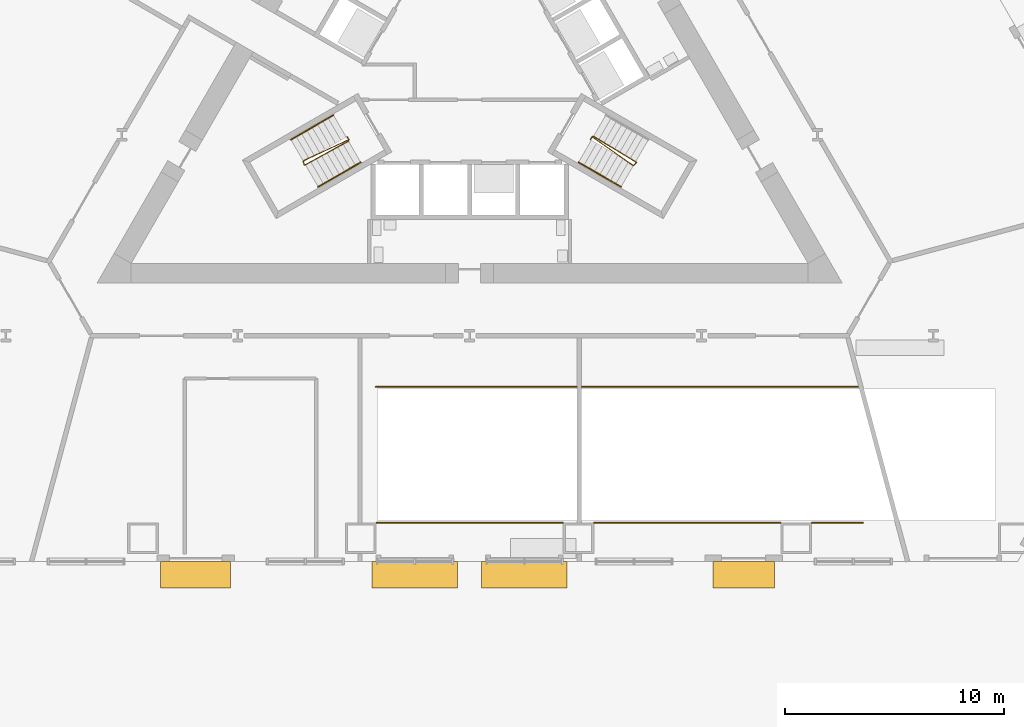
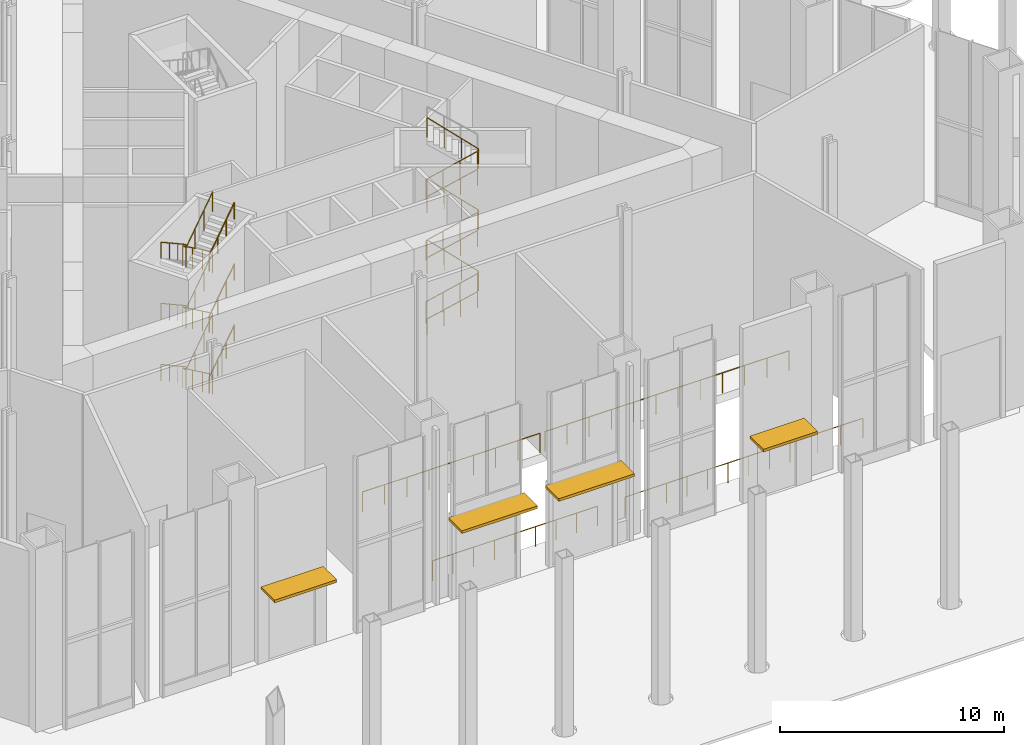
# One storey, part 15 of 18: 16 railings, 4 shading devices.
"""IFC4 building model written with IfcOpenShell, lengths in metres."""

from ifc_helpers import new_model, si_unit, direction, frame, origin, origin_2d, place, context, subcontext, project, spatial, rectangle, circle, extrude, material, layer, layer_set, type_object, element, save


model = new_model("IFC4")

# Units and contexts
model_context = context("Model", 3, precision=1e-05, world=origin(), true_north=direction((0.0, 1.0)))
body_context = subcontext(model_context, "Body", "Model", "MODEL_VIEW")
ifc_project = project(units=[si_unit("LENGTHUNIT", "METRE"), si_unit("AREAUNIT", "SQUARE_METRE"), si_unit("VOLUMEUNIT", "CUBIC_METRE"), si_unit("PLANEANGLEUNIT", "RADIAN"), si_unit("MASSUNIT", "GRAM", prefix="KILO")], contexts=[model_context])

# Site, building, storey
site_placement = place(None, origin())
site = spatial("IfcSite", under=ifc_project, at=site_placement, CompositionType="ELEMENT")
building_placement = place(site_placement, origin())
building = spatial("IfcBuilding", under=site, at=building_placement, Name="Cormorant Prow Tower", CompositionType="ELEMENT")
storey_placement = place(building_placement, origin())
storey = spatial("IfcBuildingStorey", under=building, at=storey_placement, Name="L00", CompositionType="ELEMENT", Elevation=0.0)

# Shading devices
ifc_material_1 = material(Name="Terracotta", Category="masonry")
ifc_layer_1 = layer(ifc_material_1, 0.14990234375)
ifc_layer_set_1 = layer_set([ifc_layer_1], Name="Terracotta")
shading_device_type_1 = type_object("IfcShadingDeviceType", Name="Entrance sunshade 2800x1200x150", PredefinedType="AWNING", material=ifc_layer_set_1)
shading_device_1_placement = place(storey_placement, frame((12.5, -23.11669921875, 3.425048828125), z_axis=(0.0, 0.0, 1.0), x_axis=(1.0, 0.0, 0.0)))
element("IfcShadingDevice", 1, at=shading_device_1_placement, inside=storey, type_object=shading_device_type_1, Name="Entrance sunshade S07", PredefinedType="AWNING", context=body_context, shape_type="SweptSolid", body=[
    extrude(rectangle(XDim=2.800048828125, YDim=1.199951171875, at=origin_2d()), origin(), (0.0, 0.0, 1.0), 0.14990234375),
])
ifc_material_2 = material(Name="Terracotta", Category="masonry")
ifc_layer_2 = layer(ifc_material_2, 0.14990234375)
ifc_layer_set_2 = layer_set([ifc_layer_2], Name="Terracotta")
shading_device_type_2 = type_object("IfcShadingDeviceType", Name="Entrance sunshade 3200x1200x150", PredefinedType="AWNING", material=ifc_layer_set_2)
shading_device_2_placement = place(storey_placement, frame((-12.5, -23.11669921875, 4.025146484375), z_axis=(0.0, 0.0, 1.0), x_axis=(1.0, 0.0, 0.0)))
element("IfcShadingDevice", 2, at=shading_device_2_placement, inside=storey, type_object=shading_device_type_2, Name="Entrance sunshade S02", PredefinedType="AWNING", context=body_context, shape_type="SweptSolid", body=[
    extrude(rectangle(XDim=3.199951171875, YDim=1.199951171875, at=origin_2d()), origin(), (0.0, 0.0, 1.0), 0.14990234375),
])
ifc_material_3 = material(Name="Terracotta", Category="masonry")
ifc_layer_3 = layer(ifc_material_3, 0.14990234375)
ifc_layer_set_3 = layer_set([ifc_layer_3], Name="Terracotta")
shading_device_type_3 = type_object("IfcShadingDeviceType", Name="Entrance sunshade 3900x1200x150", PredefinedType="AWNING", material=ifc_layer_set_3)
for number, where, z_axis, x_axis, name in (
    (3, (-2.5, -23.11669921875, 4.425048828125), (0.0, 0.0, 1.0), (1.0, 0.0, 0.0), "Entrance sunshade S04"),
    (4, (2.5, -23.11669921875, 4.425048828125), (0.0, 0.0, 1.0), (1.0, 0.0, 0.0), "Entrance sunshade S05"),
):
    element("IfcShadingDevice", number, at=place(storey_placement, frame(where, z_axis=z_axis, x_axis=x_axis)), inside=storey, type_object=shading_device_type_3, Name=name, PredefinedType="AWNING", context=body_context, shape_type="SweptSolid", body=[
        extrude(rectangle(XDim=3.89990234375, YDim=1.199951171875, at=origin_2d()), origin(), (0.0, 0.0, 1.0), 0.14990234375),
    ])

# Railings
ifc_material_4 = material(Name="Stainless steel", Category="steel")
railing_type_1 = type_object("IfcRailingType", Name="Floor opening guard 1100", PredefinedType="GUARDRAIL", material=ifc_material_4)
railing_1_placement = place(storey_placement, frame((-4.248779296875, -20.75, 0.0)))
element("IfcRailing", 5, at=railing_1_placement, inside=storey, type_object=railing_type_1, Name="Floor opening guard L00 1", PredefinedType="GUARDRAIL", context=body_context, shape_type="SweptSolid", body=[
    extrude(circle(Radius=0.02392578125, at=origin_2d()), frame((0.0, 0.0, 1.076171875), z_axis=(1.0, 0.0, 0.0), x_axis=(0.0, 1.0, 0.0)), (0.0, 0.0, 1.0), 8.49755859375),
    extrude(circle(Radius=0.02099609375, at=origin_2d()), origin(), (0.0, 0.0, 1.0), 1.052001953125),
    extrude(circle(Radius=0.02099609375, at=origin_2d()), frame((1.062255859375, 0.0, 0.0)), (0.0, 0.0, 1.0), 1.052001953125),
    extrude(circle(Radius=0.02099609375, at=origin_2d()), frame((2.12451171875, 0.0, 0.0)), (0.0, 0.0, 1.0), 1.052001953125),
    extrude(circle(Radius=0.02099609375, at=origin_2d()), frame((3.1865234375, 0.0, 0.0)), (0.0, 0.0, 1.0), 1.052001953125),
    extrude(circle(Radius=0.02099609375, at=origin_2d()), frame((4.248779296875, 0.0, 0.0)), (0.0, 0.0, 1.0), 1.052001953125),
    extrude(circle(Radius=0.02099609375, at=origin_2d()), frame((5.31103515625, 0.0, 0.0)), (0.0, 0.0, 1.0), 1.052001953125),
    extrude(circle(Radius=0.02099609375, at=origin_2d()), frame((6.373046875, 0.0, 0.0)), (0.0, 0.0, 1.0), 1.052001953125),
    extrude(circle(Radius=0.02099609375, at=origin_2d()), frame((7.435302734375, 0.0, 0.0)), (0.0, 0.0, 1.0), 1.052001953125),
    extrude(circle(Radius=0.02099609375, at=origin_2d()), frame((8.49755859375, 0.0, 0.0)), (0.0, 0.0, 1.0), 1.052001953125),
])
railing_2_placement = place(storey_placement, frame((4.8798828125, -14.550048828125, 0.0)))
element("IfcRailing", 6, at=railing_2_placement, inside=storey, type_object=railing_type_1, Name="Floor opening guard L00 2", PredefinedType="GUARDRAIL", context=body_context, shape_type="SweptSolid", body=[
    extrude(circle(Radius=0.02392578125, at=origin_2d()), frame((0.0, 0.0, 1.076171875), z_axis=(-1.0, 0.0, 0.0), x_axis=(0.0, -1.0, 0.0)), (0.0, 0.0, 1.0), 9.164794921875),
    extrude(circle(Radius=0.02099609375, at=origin_2d()), origin(), (0.0, 0.0, 1.0), 1.052001953125),
    extrude(circle(Radius=0.02099609375, at=origin_2d()), frame((-1.1455078125, 0.0, 0.0)), (0.0, 0.0, 1.0), 1.052001953125),
    extrude(circle(Radius=0.02099609375, at=origin_2d()), frame((-2.291259765625, 0.0, 0.0)), (0.0, 0.0, 1.0), 1.052001953125),
    extrude(circle(Radius=0.02099609375, at=origin_2d()), frame((-3.436767578125, 0.0, 0.0)), (0.0, 0.0, 1.0), 1.052001953125),
    extrude(circle(Radius=0.02099609375, at=origin_2d()), frame((-4.58251953125, 0.0, 0.0)), (0.0, 0.0, 1.0), 1.052001953125),
    extrude(circle(Radius=0.02099609375, at=origin_2d()), frame((-5.72802734375, 0.0, 0.0)), (0.0, 0.0, 1.0), 1.052001953125),
    extrude(circle(Radius=0.02099609375, at=origin_2d()), frame((-6.87353515625, 0.0, 0.0)), (0.0, 0.0, 1.0), 1.052001953125),
    extrude(circle(Radius=0.02099609375, at=origin_2d()), frame((-8.019287109375, 0.0, 0.0)), (0.0, 0.0, 1.0), 1.052001953125),
    extrude(circle(Radius=0.02099609375, at=origin_2d()), frame((-9.164794921875, 0.0, 0.0)), (0.0, 0.0, 1.0), 1.052001953125),
])
railing_3_placement = place(storey_placement, frame((5.683349609375, -20.75, 0.0)))
element("IfcRailing", 7, at=railing_3_placement, inside=storey, type_object=railing_type_1, Name="Floor opening guard L00 3", PredefinedType="GUARDRAIL", context=body_context, shape_type="SweptSolid", body=[
    extrude(circle(Radius=0.02392578125, at=origin_2d()), frame((0.0, 0.0, 1.076171875), z_axis=(1.0, 0.0, 0.0), x_axis=(0.0, 1.0, 0.0)), (0.0, 0.0, 1.0), 8.49755859375),
    extrude(circle(Radius=0.02099609375, at=origin_2d()), origin(), (0.0, 0.0, 1.0), 1.052001953125),
    extrude(circle(Radius=0.02099609375, at=origin_2d()), frame((1.062255859375, 0.0, 0.0)), (0.0, 0.0, 1.0), 1.052001953125),
    extrude(circle(Radius=0.02099609375, at=origin_2d()), frame((2.12451171875, 0.0, 0.0)), (0.0, 0.0, 1.0), 1.052001953125),
    extrude(circle(Radius=0.02099609375, at=origin_2d()), frame((3.1865234375, 0.0, 0.0)), (0.0, 0.0, 1.0), 1.052001953125),
    extrude(circle(Radius=0.02099609375, at=origin_2d()), frame((4.248779296875, 0.0, 0.0)), (0.0, 0.0, 1.0), 1.052001953125),
    extrude(circle(Radius=0.02099609375, at=origin_2d()), frame((5.31103515625, 0.0, 0.0)), (0.0, 0.0, 1.0), 1.052001953125),
    extrude(circle(Radius=0.02099609375, at=origin_2d()), frame((6.373046875, 0.0, 0.0)), (0.0, 0.0, 1.0), 1.052001953125),
    extrude(circle(Radius=0.02099609375, at=origin_2d()), frame((7.435302734375, 0.0, 0.0)), (0.0, 0.0, 1.0), 1.052001953125),
    extrude(circle(Radius=0.02099609375, at=origin_2d()), frame((8.49755859375, 0.0, 0.0)), (0.0, 0.0, 1.0), 1.052001953125),
])
railing_4_placement = place(storey_placement, frame((15.615478515625, -20.75, 0.0)))
element("IfcRailing", 8, at=railing_4_placement, inside=storey, type_object=railing_type_1, Name="Floor opening guard L00 4", PredefinedType="GUARDRAIL", context=body_context, shape_type="SweptSolid", body=[
    extrude(circle(Radius=0.02392578125, at=origin_2d()), frame((0.0, 0.0, 1.076171875), z_axis=(1.0, 0.0, 0.0), x_axis=(0.0, 1.0, 0.0)), (0.0, 0.0, 1.0), 2.32958984375),
    extrude(circle(Radius=0.02099609375, at=origin_2d()), origin(), (0.0, 0.0, 1.0), 1.052001953125),
    extrude(circle(Radius=0.02099609375, at=origin_2d()), frame((1.164794921875, 0.0, 0.0)), (0.0, 0.0, 1.0), 1.052001953125),
    extrude(circle(Radius=0.02099609375, at=origin_2d()), frame((2.32958984375, 0.0, 0.0)), (0.0, 0.0, 1.0), 1.052001953125),
])
railing_5_placement = place(storey_placement, frame((17.715087890625, -14.550048828125, 0.0)))
element("IfcRailing", 9, at=railing_5_placement, inside=storey, type_object=railing_type_1, Name="Floor opening guard L00 5", PredefinedType="GUARDRAIL", context=body_context, shape_type="SweptSolid", body=[
    extrude(circle(Radius=0.02392578125, at=origin_2d()), frame((0.0, 0.0, 1.076171875), z_axis=(-1.0, 0.0, 0.0), x_axis=(0.0, -1.0, 0.0)), (0.0, 0.0, 1.0), 12.594970703125),
    extrude(circle(Radius=0.02099609375, at=origin_2d()), origin(), (0.0, 0.0, 1.0), 1.052001953125),
    extrude(circle(Radius=0.02099609375, at=origin_2d()), frame((-1.14501953125, 0.0, 0.0)), (0.0, 0.0, 1.0), 1.052001953125),
    extrude(circle(Radius=0.02099609375, at=origin_2d()), frame((-2.2900390625, 0.0, 0.0)), (0.0, 0.0, 1.0), 1.052001953125),
    extrude(circle(Radius=0.02099609375, at=origin_2d()), frame((-3.43505859375, 0.0, 0.0)), (0.0, 0.0, 1.0), 1.052001953125),
    extrude(circle(Radius=0.02099609375, at=origin_2d()), frame((-4.580078125, 0.0, 0.0)), (0.0, 0.0, 1.0), 1.052001953125),
    extrude(circle(Radius=0.02099609375, at=origin_2d()), frame((-5.72509765625, 0.0, 0.0)), (0.0, 0.0, 1.0), 1.052001953125),
    extrude(circle(Radius=0.02099609375, at=origin_2d()), frame((-6.869873046875, 0.0, 0.0)), (0.0, 0.0, 1.0), 1.052001953125),
    extrude(circle(Radius=0.02099609375, at=origin_2d()), frame((-8.014892578125, 0.0, 0.0)), (0.0, 0.0, 1.0), 1.052001953125),
    extrude(circle(Radius=0.02099609375, at=origin_2d()), frame((-9.159912109375, 0.0, 0.0)), (0.0, 0.0, 1.0), 1.052001953125),
    extrude(circle(Radius=0.02099609375, at=origin_2d()), frame((-10.304931640625, 0.0, 0.0)), (0.0, 0.0, 1.0), 1.052001953125),
    extrude(circle(Radius=0.02099609375, at=origin_2d()), frame((-11.449951171875, 0.0, 0.0)), (0.0, 0.0, 1.0), 1.052001953125),
    extrude(circle(Radius=0.02099609375, at=origin_2d()), frame((-12.594970703125, 0.0, 0.0)), (0.0, 0.0, 1.0), 1.052001953125),
])
ifc_material_5 = material(Name="Stainless steel", Category="steel")
railing_type_2 = type_object("IfcRailingType", Name="Stair guard 1100", PredefinedType="GUARDRAIL", material=ifc_material_5)
railing_6_placement = place(storey_placement, frame((-5.585205078125, -3.137939453125, 0.0)))
element("IfcRailing", 10, at=railing_6_placement, inside=storey, type_object=railing_type_2, Name="L00 ST1 stair guard 1", PredefinedType="GUARDRAIL", context=body_context, shape_type="SweptSolid", body=[
    extrude(circle(Radius=0.02392578125, at=origin_2d()), frame((0.0, 0.0, 1.076171875), z_axis=(0.501036270542, -0.865426285481, 0.0), x_axis=(0.865426285481, 0.501036270542, 0.0)), (0.0, 0.0, 1.0), 0.150146484375),
    extrude(circle(Radius=0.02392578125, at=origin_2d()), frame((0.0751953125, -0.1298828125, 1.076171875), z_axis=(-0.733674800789, -0.342289860769, 0.586991429156), x_axis=(0.422792438952, -0.906226546491, 0.0)), (0.0, 0.0, 1.0), 2.83935546875),
    extrude(circle(Radius=0.02392578125, at=origin_2d()), frame((-2.008056640625, -1.101806640625, 2.74267578125), z_axis=(0.275034262293, -0.961434425515, 0.0), x_axis=(0.961434425515, 0.275034262293, 0.0)), (0.0, 0.0, 1.0), 0.2060546875),
    extrude(circle(Radius=0.02392578125, at=origin_2d()), frame((-1.951416015625, -1.2998046875, 2.74267578125), z_axis=(0.708981209556, 0.388879554767, 0.588318227137), x_axis=(-0.480911908544, 0.87676891837, 0.0)), (0.0, 0.0, 1.0), 2.832763671875),
    extrude(circle(Radius=0.02392578125, at=origin_2d()), frame((0.056884765625, -0.1982421875, 4.4091796875), z_axis=(0.258736085224, 0.965948051503, 0.0), x_axis=(-0.965948051503, 0.258736085224, 0.0)), (0.0, 0.0, 1.0), 0.07080078125),
    extrude(circle(Radius=0.02392578125, at=origin_2d()), frame((0.0751953125, -0.1298828125, 4.4091796875), z_axis=(-0.733674800789, -0.342289860769, 0.586991429156), x_axis=(0.422792438952, -0.906226546491, 0.0)), (0.0, 0.0, 1.0), 2.83935546875),
    extrude(circle(Radius=0.02392578125, at=origin_2d()), frame((-2.008056640625, -1.101806640625, 6.076171875), z_axis=(0.275034262293, -0.961434425515, 0.0), x_axis=(0.961434425515, 0.275034262293, 0.0)), (0.0, 0.0, 1.0), 0.2060546875),
    extrude(circle(Radius=0.02392578125, at=origin_2d()), frame((-1.951416015625, -1.2998046875, 6.076171875), z_axis=(0.708945260141, 0.388859836343, 0.588374579502), x_axis=(-0.480911908544, 0.87676891837, 0.0)), (0.0, 0.0, 1.0), 2.832763671875),
    extrude(circle(Radius=0.02392578125, at=origin_2d()), frame((0.056884765625, -0.1982421875, 7.74267578125), z_axis=(0.258736085224, 0.965948051503, 0.0), x_axis=(-0.965948051503, 0.258736085224, 0.0)), (0.0, 0.0, 1.0), 0.07080078125),
    extrude(circle(Radius=0.02392578125, at=origin_2d()), frame((0.0751953125, -0.1298828125, 7.74267578125), z_axis=(-0.733711829474, -0.342307136193, 0.586935069494), x_axis=(0.422792438952, -0.906226546491, 0.0)), (0.0, 0.0, 1.0), 2.83935546875),
    extrude(circle(Radius=0.02392578125, at=origin_2d()), frame((-2.008056640625, -1.101806640625, 9.4091796875), z_axis=(0.275034262293, -0.961434425515, 0.0), x_axis=(0.961434425515, 0.275034262293, 0.0)), (0.0, 0.0, 1.0), 0.2060546875),
    extrude(circle(Radius=0.02392578125, at=origin_2d()), frame((-1.951416015625, -1.2998046875, 9.4091796875), z_axis=(0.708945260141, 0.388859836343, 0.588374579502), x_axis=(-0.480911908544, 0.87676891837, 0.0)), (0.0, 0.0, 1.0), 2.832763671875),
    extrude(circle(Radius=0.02099609375, at=origin_2d()), origin(), (0.0, 0.0, 1.0), 1.052001953125),
    extrude(circle(Radius=0.02099609375, at=origin_2d()), frame((0.0751953125, -0.1298828125, 0.0)), (0.0, 0.0, 1.0), 1.052001953125),
    extrude(circle(Radius=0.02099609375, at=origin_2d()), frame((-0.619140625, -0.453857421875, 0.5556640625)), (0.0, 0.0, 1.0), 1.052001953125),
    extrude(circle(Radius=0.02099609375, at=origin_2d()), frame((-1.313720703125, -0.77783203125, 1.111083984375)), (0.0, 0.0, 1.0), 1.052001953125),
    extrude(circle(Radius=0.02099609375, at=origin_2d()), frame((-2.008056640625, -1.101806640625, 1.666748046875)), (0.0, 0.0, 1.0), 1.052001953125),
    extrude(circle(Radius=0.02099609375, at=origin_2d()), frame((-1.951416015625, -1.2998046875, 1.666748046875)), (0.0, 0.0, 1.0), 1.052001953125),
    extrude(circle(Radius=0.02099609375, at=origin_2d()), frame((-1.281982421875, -0.9326171875, 2.22216796875)), (0.0, 0.0, 1.0), 1.052001953125),
    extrude(circle(Radius=0.02099609375, at=origin_2d()), frame((-0.612548828125, -0.5654296875, 2.77783203125)), (0.0, 0.0, 1.0), 1.052001953125),
    extrude(circle(Radius=0.02099609375, at=origin_2d()), frame((0.056884765625, -0.1982421875, 3.333251953125)), (0.0, 0.0, 1.0), 1.052001953125),
    extrude(circle(Radius=0.02099609375, at=origin_2d()), frame((0.0751953125, -0.1298828125, 3.333251953125)), (0.0, 0.0, 1.0), 1.052001953125),
    extrude(circle(Radius=0.02099609375, at=origin_2d()), frame((-0.619140625, -0.453857421875, 3.888916015625)), (0.0, 0.0, 1.0), 1.052001953125),
    extrude(circle(Radius=0.02099609375, at=origin_2d()), frame((-1.313720703125, -0.77783203125, 4.4443359375)), (0.0, 0.0, 1.0), 1.052001953125),
    extrude(circle(Radius=0.02099609375, at=origin_2d()), frame((-2.008056640625, -1.101806640625, 5.0)), (0.0, 0.0, 1.0), 1.052001953125),
    extrude(circle(Radius=0.02099609375, at=origin_2d()), frame((-1.951416015625, -1.2998046875, 5.0)), (0.0, 0.0, 1.0), 1.052001953125),
    extrude(circle(Radius=0.02099609375, at=origin_2d()), frame((-1.281982421875, -0.9326171875, 5.5556640625)), (0.0, 0.0, 1.0), 1.052001953125),
    extrude(circle(Radius=0.02099609375, at=origin_2d()), frame((-0.612548828125, -0.5654296875, 6.111083984375)), (0.0, 0.0, 1.0), 1.052001953125),
    extrude(circle(Radius=0.02099609375, at=origin_2d()), frame((0.056884765625, -0.1982421875, 6.666748046875)), (0.0, 0.0, 1.0), 1.052001953125),
    extrude(circle(Radius=0.02099609375, at=origin_2d()), frame((0.0751953125, -0.1298828125, 6.666748046875)), (0.0, 0.0, 1.0), 1.052001953125),
    extrude(circle(Radius=0.02099609375, at=origin_2d()), frame((-0.619140625, -0.453857421875, 7.22216796875)), (0.0, 0.0, 1.0), 1.052001953125),
    extrude(circle(Radius=0.02099609375, at=origin_2d()), frame((-1.313720703125, -0.77783203125, 7.77783203125)), (0.0, 0.0, 1.0), 1.052001953125),
    extrude(circle(Radius=0.02099609375, at=origin_2d()), frame((-2.008056640625, -1.101806640625, 8.333251953125)), (0.0, 0.0, 1.0), 1.052001953125),
    extrude(circle(Radius=0.02099609375, at=origin_2d()), frame((-1.951416015625, -1.2998046875, 8.333251953125)), (0.0, 0.0, 1.0), 1.052001953125),
    extrude(circle(Radius=0.02099609375, at=origin_2d()), frame((-1.281982421875, -0.9326171875, 8.888916015625)), (0.0, 0.0, 1.0), 1.052001953125),
    extrude(circle(Radius=0.02099609375, at=origin_2d()), frame((-0.612548828125, -0.5654296875, 9.4443359375)), (0.0, 0.0, 1.0), 1.052001953125),
    extrude(circle(Radius=0.02099609375, at=origin_2d()), frame((0.056884765625, -0.1982421875, 10.0)), (0.0, 0.0, 1.0), 1.052001953125),
])
railing_7_placement = place(storey_placement, frame((5.510009765625, -3.267822265625, 0.0)))
element("IfcRailing", 11, at=railing_7_placement, inside=storey, type_object=railing_type_2, Name="L00 ST2 stair guard 1", PredefinedType="GUARDRAIL", context=body_context, shape_type="SweptSolid", body=[
    extrude(circle(Radius=0.02392578125, at=origin_2d()), frame((0.0, 0.0, 1.076171875), z_axis=(0.501036270542, 0.865426285481, 0.0), x_axis=(-0.865426285481, 0.501036270542, 0.0)), (0.0, 0.0, 1.0), 0.150146484375),
    extrude(circle(Radius=0.02392578125, at=origin_2d()), frame((0.0751953125, 0.1298828125, 1.076171875), z_axis=(0.663221673184, -0.464246572478, 0.587036738341), x_axis=(0.573455215813, 0.819236910458, 0.0)), (0.0, 0.0, 1.0), 2.83935546875),
    extrude(circle(Radius=0.02392578125, at=origin_2d()), frame((1.958251953125, -1.188232421875, 2.74267578125), z_axis=(0.695164929852, 0.718850276695, 0.0), x_axis=(-0.718850276695, 0.695164929852, 0.0)), (0.0, 0.0, 1.0), 0.2060546875),
    extrude(circle(Radius=0.02392578125, at=origin_2d()), frame((2.1015625, -1.0400390625, 2.74267578125), z_axis=(-0.691315500176, 0.419477937833, 0.588320608927), x_axis=(-0.518752825935, -0.854924268918, 0.0)), (0.0, 0.0, 1.0), 2.832763671875),
    extrude(circle(Radius=0.02392578125, at=origin_2d()), frame((0.143310546875, 0.148193359375, 4.4091796875), z_axis=(-0.965715946433, -0.259601060869, 0.0), x_axis=(0.259601060869, -0.965715946433, 0.0)), (0.0, 0.0, 1.0), 0.070556640625),
    extrude(circle(Radius=0.02392578125, at=origin_2d()), frame((0.0751953125, 0.1298828125, 4.4091796875), z_axis=(0.663221673184, -0.464246572478, 0.587036738341), x_axis=(0.573455215813, 0.819236910458, 0.0)), (0.0, 0.0, 1.0), 2.83935546875),
    extrude(circle(Radius=0.02392578125, at=origin_2d()), frame((1.958251953125, -1.188232421875, 6.076171875), z_axis=(0.695164929852, 0.718850276695, 0.0), x_axis=(-0.718850276695, 0.695164929852, 0.0)), (0.0, 0.0, 1.0), 0.2060546875),
    extrude(circle(Radius=0.02392578125, at=origin_2d()), frame((2.1015625, -1.0400390625, 6.076171875), z_axis=(-0.69128044623, 0.419456667722, 0.588376961278), x_axis=(-0.518752825935, -0.854924268918, 0.0)), (0.0, 0.0, 1.0), 2.832763671875),
    extrude(circle(Radius=0.02392578125, at=origin_2d()), frame((0.143310546875, 0.148193359375, 7.74267578125), z_axis=(-0.965715946433, -0.259601060869, 0.0), x_axis=(0.259601060869, -0.965715946433, 0.0)), (0.0, 0.0, 1.0), 0.070556640625),
    extrude(circle(Radius=0.02392578125, at=origin_2d()), frame((0.0751953125, 0.1298828125, 7.74267578125), z_axis=(0.663255151256, -0.464270006694, 0.586980378902), x_axis=(0.573455215813, 0.819236910458, 0.0)), (0.0, 0.0, 1.0), 2.839111328125),
    extrude(circle(Radius=0.02392578125, at=origin_2d()), frame((1.958251953125, -1.188232421875, 9.4091796875), z_axis=(0.695164929852, 0.718850276695, 0.0), x_axis=(-0.718850276695, 0.695164929852, 0.0)), (0.0, 0.0, 1.0), 0.2060546875),
    extrude(circle(Radius=0.02392578125, at=origin_2d()), frame((2.1015625, -1.0400390625, 9.4091796875), z_axis=(-0.69128044623, 0.419456667722, 0.588376961278), x_axis=(-0.518752825935, -0.854924268918, 0.0)), (0.0, 0.0, 1.0), 2.832763671875),
    extrude(circle(Radius=0.02099609375, at=origin_2d()), origin(), (0.0, 0.0, 1.0), 1.052001953125),
    extrude(circle(Radius=0.02099609375, at=origin_2d()), frame((0.0751953125, 0.1298828125, 0.0)), (0.0, 0.0, 1.0), 1.052001953125),
    extrude(circle(Radius=0.02099609375, at=origin_2d()), frame((0.702880859375, -0.3095703125, 0.5556640625)), (0.0, 0.0, 1.0), 1.052001953125),
    extrude(circle(Radius=0.02099609375, at=origin_2d()), frame((1.33056640625, -0.748779296875, 1.111083984375)), (0.0, 0.0, 1.0), 1.052001953125),
    extrude(circle(Radius=0.02099609375, at=origin_2d()), frame((1.958251953125, -1.188232421875, 1.666748046875)), (0.0, 0.0, 1.0), 1.052001953125),
    extrude(circle(Radius=0.02099609375, at=origin_2d()), frame((2.1015625, -1.0400390625, 1.666748046875)), (0.0, 0.0, 1.0), 1.052001953125),
    extrude(circle(Radius=0.02099609375, at=origin_2d()), frame((1.44873046875, -0.64404296875, 2.22216796875)), (0.0, 0.0, 1.0), 1.052001953125),
    extrude(circle(Radius=0.02099609375, at=origin_2d()), frame((0.796142578125, -0.247802734375, 2.77783203125)), (0.0, 0.0, 1.0), 1.052001953125),
    extrude(circle(Radius=0.02099609375, at=origin_2d()), frame((0.143310546875, 0.148193359375, 3.333251953125)), (0.0, 0.0, 1.0), 1.052001953125),
    extrude(circle(Radius=0.02099609375, at=origin_2d()), frame((0.0751953125, 0.1298828125, 3.333251953125)), (0.0, 0.0, 1.0), 1.052001953125),
    extrude(circle(Radius=0.02099609375, at=origin_2d()), frame((0.702880859375, -0.3095703125, 3.888916015625)), (0.0, 0.0, 1.0), 1.052001953125),
    extrude(circle(Radius=0.02099609375, at=origin_2d()), frame((1.33056640625, -0.748779296875, 4.4443359375)), (0.0, 0.0, 1.0), 1.052001953125),
    extrude(circle(Radius=0.02099609375, at=origin_2d()), frame((1.958251953125, -1.188232421875, 5.0)), (0.0, 0.0, 1.0), 1.052001953125),
    extrude(circle(Radius=0.02099609375, at=origin_2d()), frame((2.1015625, -1.0400390625, 5.0)), (0.0, 0.0, 1.0), 1.052001953125),
    extrude(circle(Radius=0.02099609375, at=origin_2d()), frame((1.44873046875, -0.64404296875, 5.5556640625)), (0.0, 0.0, 1.0), 1.052001953125),
    extrude(circle(Radius=0.02099609375, at=origin_2d()), frame((0.796142578125, -0.247802734375, 6.111083984375)), (0.0, 0.0, 1.0), 1.052001953125),
    extrude(circle(Radius=0.02099609375, at=origin_2d()), frame((0.143310546875, 0.148193359375, 6.666748046875)), (0.0, 0.0, 1.0), 1.052001953125),
    extrude(circle(Radius=0.02099609375, at=origin_2d()), frame((0.0751953125, 0.1298828125, 6.666748046875)), (0.0, 0.0, 1.0), 1.052001953125),
    extrude(circle(Radius=0.02099609375, at=origin_2d()), frame((0.702880859375, -0.3095703125, 7.22216796875)), (0.0, 0.0, 1.0), 1.052001953125),
    extrude(circle(Radius=0.02099609375, at=origin_2d()), frame((1.33056640625, -0.748779296875, 7.77783203125)), (0.0, 0.0, 1.0), 1.052001953125),
    extrude(circle(Radius=0.02099609375, at=origin_2d()), frame((1.958251953125, -1.188232421875, 8.333251953125)), (0.0, 0.0, 1.0), 1.052001953125),
    extrude(circle(Radius=0.02099609375, at=origin_2d()), frame((2.1015625, -1.0400390625, 8.333251953125)), (0.0, 0.0, 1.0), 1.052001953125),
    extrude(circle(Radius=0.02099609375, at=origin_2d()), frame((1.44873046875, -0.64404296875, 8.888916015625)), (0.0, 0.0, 1.0), 1.052001953125),
    extrude(circle(Radius=0.02099609375, at=origin_2d()), frame((0.796142578125, -0.247802734375, 9.4443359375)), (0.0, 0.0, 1.0), 1.052001953125),
    extrude(circle(Radius=0.02099609375, at=origin_2d()), frame((0.143310546875, 0.148193359375, 10.0)), (0.0, 0.0, 1.0), 1.052001953125),
])
ifc_material_6 = material(Name="Stainless steel", Category="steel")
railing_type_3 = type_object("IfcRailingType", Name="Stair handrail 900", PredefinedType="HANDRAIL", material=ifc_material_6)
railing_8_placement = place(storey_placement, frame((-6.212890625, -2.150634765625, 0.185302734375)))
element("IfcRailing", 12, at=railing_8_placement, inside=storey, type_object=railing_type_3, Name="L00 ST1 stair handrail 1", PredefinedType="HANDRAIL", context=body_context, shape_type="SweptSolid", body=[
    extrude(circle(Radius=0.02392578125, at=origin_2d()), frame((0.0, 0.0, 0.8759765625), z_axis=(-0.722363311002, -0.416999812178, 0.551636115172), x_axis=(0.49994888933, -0.866054910533, 0.0)), (0.0, 0.0, 1.0), 2.685546875),
    extrude(circle(Radius=0.02099609375, at=origin_2d()), origin(), (0.0, 0.0, 1.0), 0.851806640625),
    extrude(circle(Radius=0.02099609375, at=origin_2d()), frame((-0.646728515625, -0.373291015625, 0.493896484375)), (0.0, 0.0, 1.0), 0.851806640625),
    extrude(circle(Radius=0.02099609375, at=origin_2d()), frame((-1.293212890625, -0.74658203125, 0.987548828125)), (0.0, 0.0, 1.0), 0.851806640625),
    extrude(circle(Radius=0.02099609375, at=origin_2d()), frame((-1.93994140625, -1.119873046875, 1.4814453125)), (0.0, 0.0, 1.0), 0.851806640625),
])
railing_9_placement = place(storey_placement, frame((-6.90869140625, -5.42529296875, 1.851806640625)))
element("IfcRailing", 13, at=railing_9_placement, inside=storey, type_object=railing_type_3, Name="L00 ST1 stair handrail 2", PredefinedType="HANDRAIL", context=body_context, shape_type="SweptSolid", body=[
    extrude(circle(Radius=0.02392578125, at=origin_2d()), frame((0.0, 0.0, 0.8759765625), z_axis=(0.72229244732, 0.417102296828, 0.551651424838), x_axis=(-0.500077830873, 0.865980463445, 0.0)), (0.0, 0.0, 1.0), 2.685546875),
    extrude(circle(Radius=0.02099609375, at=origin_2d()), origin(), (0.0, 0.0, 1.0), 0.851806640625),
    extrude(circle(Radius=0.02099609375, at=origin_2d()), frame((0.646484375, 0.373291015625, 0.493896484375)), (0.0, 0.0, 1.0), 0.851806640625),
    extrude(circle(Radius=0.02099609375, at=origin_2d()), frame((1.293212890625, 0.746826171875, 0.987548828125)), (0.0, 0.0, 1.0), 0.851806640625),
    extrude(circle(Radius=0.02099609375, at=origin_2d()), frame((1.939697265625, 1.1201171875, 1.4814453125)), (0.0, 0.0, 1.0), 0.851806640625),
])
railing_10_placement = place(storey_placement, frame((-6.212890625, -2.150634765625, 3.5185546875)))
element("IfcRailing", 14, at=railing_10_placement, inside=storey, type_object=railing_type_3, Name="L00 ST1 stair handrail 3", PredefinedType="HANDRAIL", context=body_context, shape_type="SweptSolid", body=[
    extrude(circle(Radius=0.02392578125, at=origin_2d()), frame((0.0, 0.0, 0.8759765625), z_axis=(-0.722363311002, -0.416999812178, 0.551636115172), x_axis=(0.49994888933, -0.866054910533, 0.0)), (0.0, 0.0, 1.0), 2.685546875),
    extrude(circle(Radius=0.02099609375, at=origin_2d()), origin(), (0.0, 0.0, 1.0), 0.851806640625),
    extrude(circle(Radius=0.02099609375, at=origin_2d()), frame((-0.646728515625, -0.373291015625, 0.493896484375)), (0.0, 0.0, 1.0), 0.851806640625),
    extrude(circle(Radius=0.02099609375, at=origin_2d()), frame((-1.293212890625, -0.74658203125, 0.987548828125)), (0.0, 0.0, 1.0), 0.851806640625),
    extrude(circle(Radius=0.02099609375, at=origin_2d()), frame((-1.93994140625, -1.119873046875, 1.4814453125)), (0.0, 0.0, 1.0), 0.851806640625),
])
railing_11_placement = place(storey_placement, frame((-6.90869140625, -5.42529296875, 5.185302734375)))
element("IfcRailing", 15, at=railing_11_placement, inside=storey, type_object=railing_type_3, Name="L00 ST1 stair handrail 4", PredefinedType="HANDRAIL", context=body_context, shape_type="SweptSolid", body=[
    extrude(circle(Radius=0.02392578125, at=origin_2d()), frame((0.0, 0.0, 0.8759765625), z_axis=(0.72229244732, 0.417102296828, 0.551651424838), x_axis=(-0.500077830873, 0.865980463445, 0.0)), (0.0, 0.0, 1.0), 2.685546875),
    extrude(circle(Radius=0.02099609375, at=origin_2d()), origin(), (0.0, 0.0, 1.0), 0.851806640625),
    extrude(circle(Radius=0.02099609375, at=origin_2d()), frame((0.646484375, 0.373291015625, 0.493896484375)), (0.0, 0.0, 1.0), 0.851806640625),
    extrude(circle(Radius=0.02099609375, at=origin_2d()), frame((1.293212890625, 0.746826171875, 0.987548828125)), (0.0, 0.0, 1.0), 0.851806640625),
    extrude(circle(Radius=0.02099609375, at=origin_2d()), frame((1.939697265625, 1.1201171875, 1.4814453125)), (0.0, 0.0, 1.0), 0.851806640625),
])
railing_12_placement = place(storey_placement, frame((-6.212890625, -2.150634765625, 6.851806640625)))
element("IfcRailing", 16, at=railing_12_placement, inside=storey, type_object=railing_type_3, Name="L00 ST1 stair handrail 5", PredefinedType="HANDRAIL", context=body_context, shape_type="SweptSolid", body=[
    extrude(circle(Radius=0.02392578125, at=origin_2d()), frame((0.0, 0.0, 0.8759765625), z_axis=(-0.722363311002, -0.416999812178, 0.551636115172), x_axis=(0.49994888933, -0.866054910533, 0.0)), (0.0, 0.0, 1.0), 2.685546875),
    extrude(circle(Radius=0.02099609375, at=origin_2d()), origin(), (0.0, 0.0, 1.0), 0.851806640625),
    extrude(circle(Radius=0.02099609375, at=origin_2d()), frame((-0.646728515625, -0.373291015625, 0.493896484375)), (0.0, 0.0, 1.0), 0.851806640625),
    extrude(circle(Radius=0.02099609375, at=origin_2d()), frame((-1.293212890625, -0.74658203125, 0.987548828125)), (0.0, 0.0, 1.0), 0.851806640625),
    extrude(circle(Radius=0.02099609375, at=origin_2d()), frame((-1.93994140625, -1.119873046875, 1.4814453125)), (0.0, 0.0, 1.0), 0.851806640625),
])
railing_13_placement = place(storey_placement, frame((-6.90869140625, -5.42529296875, 8.5185546875)))
element("IfcRailing", 17, at=railing_13_placement, inside=storey, type_object=railing_type_3, Name="L00 ST1 stair handrail 6", PredefinedType="HANDRAIL", context=body_context, shape_type="SweptSolid", body=[
    extrude(circle(Radius=0.02392578125, at=origin_2d()), frame((0.0, 0.0, 0.8759765625), z_axis=(0.72229244732, 0.417102296828, 0.551651424838), x_axis=(-0.500077830873, 0.865980463445, 0.0)), (0.0, 0.0, 1.0), 2.685546875),
    extrude(circle(Radius=0.02099609375, at=origin_2d()), origin(), (0.0, 0.0, 1.0), 0.851806640625),
    extrude(circle(Radius=0.02099609375, at=origin_2d()), frame((0.646484375, 0.373291015625, 0.493896484375)), (0.0, 0.0, 1.0), 0.851806640625),
    extrude(circle(Radius=0.02099609375, at=origin_2d()), frame((1.293212890625, 0.746826171875, 0.987548828125)), (0.0, 0.0, 1.0), 0.851806640625),
    extrude(circle(Radius=0.02099609375, at=origin_2d()), frame((1.939697265625, 1.1201171875, 1.4814453125)), (0.0, 0.0, 1.0), 0.851806640625),
])
for number, where, name in (
    (18, (4.968994140625, -4.30517578125, 0.185302734375), "L00 ST2 stair handrail 1"),
    (19, (4.968994140625, -4.30517578125, 3.5185546875), "L00 ST2 stair handrail 3"),
    (20, (4.968994140625, -4.30517578125, 6.851806640625), "L00 ST2 stair handrail 5"),
):
    element("IfcRailing", number, at=place(storey_placement, frame(where)), inside=storey, type_object=railing_type_3, Name=name, PredefinedType="HANDRAIL", context=body_context, shape_type="SweptSolid", body=[
        extrude(circle(Radius=0.02392578125, at=origin_2d()), frame((0.0, 0.0, 0.8759765625), z_axis=(0.72229244732, -0.417102296828, 0.551651424838), x_axis=(0.500077830873, 0.865980463445, 0.0)), (0.0, 0.0, 1.0), 2.685546875),
        extrude(circle(Radius=0.02099609375, at=origin_2d()), origin(), (0.0, 0.0, 1.0), 0.851806640625),
        extrude(circle(Radius=0.02099609375, at=origin_2d()), frame((0.646484375, -0.373291015625, 0.493896484375)), (0.0, 0.0, 1.0), 0.851806640625),
        extrude(circle(Radius=0.02099609375, at=origin_2d()), frame((1.293212890625, -0.746826171875, 0.987548828125)), (0.0, 0.0, 1.0), 0.851806640625),
        extrude(circle(Radius=0.02099609375, at=origin_2d()), frame((1.939697265625, -1.1201171875, 1.4814453125)), (0.0, 0.0, 1.0), 0.851806640625),
    ])

save(model, "model.ifc")
